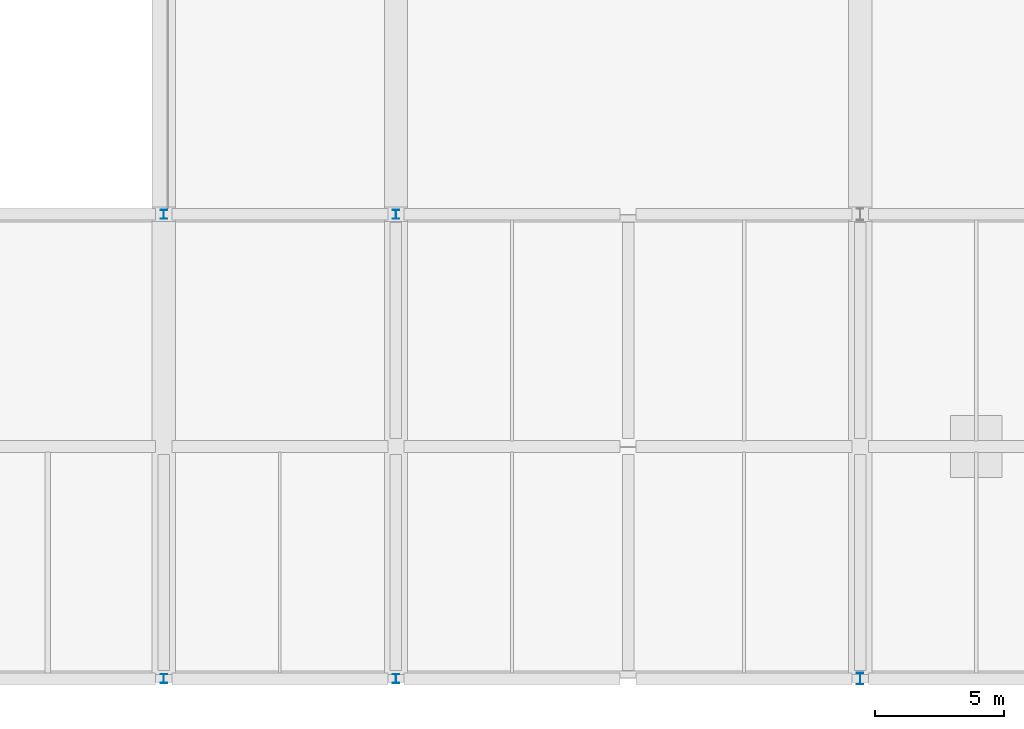
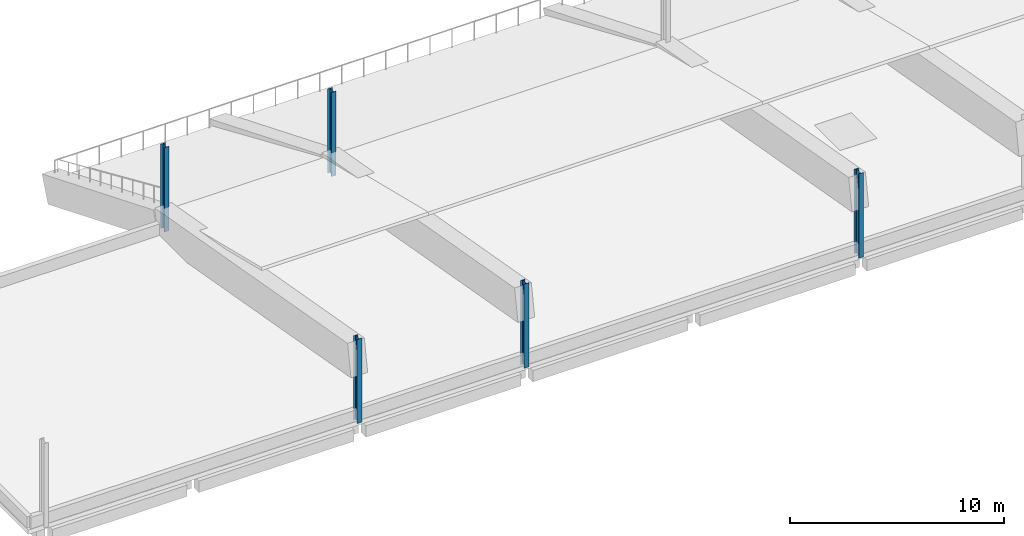
# One storey, part 4 of 66: 5 columns.
"""IFC4 building model written with IfcOpenShell, lengths in metres."""

from ifc_helpers import new_model, si_unit, direction, frame, origin, origin_2d, place, context, subcontext, project, spatial, i_section, extrude, material, material_profile, profile_set, type_object, element, save


model = new_model("IFC4")

# Units and contexts
model_context = context("Model", 3, precision=1e-05, world=origin(), true_north=direction((0.0, 1.0)))
body_context = subcontext(model_context, "Body", "Model", "MODEL_VIEW")
ifc_project = project(units=[si_unit("LENGTHUNIT", "METRE"), si_unit("AREAUNIT", "SQUARE_METRE"), si_unit("VOLUMEUNIT", "CUBIC_METRE"), si_unit("PLANEANGLEUNIT", "RADIAN"), si_unit("MASSUNIT", "GRAM", prefix="KILO"), si_unit("THERMODYNAMICTEMPERATUREUNIT", "KELVIN"), si_unit("POWERUNIT", "WATT")], contexts=[model_context])

# Site, building, storey
site_placement = place(None, origin())
site = spatial("IfcSite", under=ifc_project, at=site_placement, CompositionType="ELEMENT")
building_placement = place(site_placement, origin())
building = spatial("IfcBuilding", under=site, at=building_placement, Name="Sindhuravela Promenade Stadium", CompositionType="ELEMENT")
storey_placement = place(building_placement, frame((0.0, 0.0, 19.199951171875)))
storey = spatial("IfcBuildingStorey", under=building, at=storey_placement, Name="L04", CompositionType="ELEMENT", Elevation=19.199951171875)

# Columns
ifc_material = material(Name="Steel E350 (IS 2062 E350BR)", Category="steel")
ifc_material_profile_1 = material_profile(ifc_material, i_section(OverallWidth=0.25, OverallDepth=0.35009765625, WebThickness=0.010009765625, FlangeThickness=0.01171875, FilletRadius=0.011962890625, at=origin_2d()), Name="ISHB 350")
ifc_profile_set_1 = profile_set([ifc_material_profile_1], Name="Steel E350 (IS 2062 E350BR)")
column_type_1 = type_object("IfcColumnType", Name="ST-CL-HB350", PredefinedType="COLUMN", material=ifc_profile_set_1)
for number, where, z_axis, x_axis, name in (
    (1, (72.0, 9.0, 0.0), (0.0, 0.0, 1.0), (1.0, 0.0, 0.0), "Column SC02 SOUTH L04"),
    (2, (72.0, 27.0, 0.0), (0.0, 0.0, 1.0), (1.0, 0.0, 0.0), "Column SC02 SOUTH L04"),
    (3, (81.0, 9.0, 0.0), (0.0, 0.0, 1.0), (1.0, 0.0, 0.0), "Column SC02 SOUTH L04"),
    (4, (81.0, 27.0, 0.0), (0.0, 0.0, 1.0), (1.0, 0.0, 0.0), "Column SC02 SOUTH L04"),
):
    element("IfcColumn", number, at=place(storey_placement, frame(where, z_axis=z_axis, x_axis=x_axis)), inside=storey, type_object=column_type_1, Name=name, PredefinedType="COLUMN", context=body_context, shape_type="SweptSolid", body=[
        extrude(i_section(OverallWidth=0.25, OverallDepth=0.35009765625, WebThickness=0.010009765625, FlangeThickness=0.01171875, FilletRadius=0.011962890625, at=origin_2d()), origin(), (0.0, 0.0, 1.0), 4.800048828125),
    ])
ifc_material_profile_2 = material_profile(ifc_material, i_section(OverallWidth=0.25, OverallDepth=0.449951171875, WebThickness=0.01123046875, FlangeThickness=0.013671875, FilletRadius=0.014892578125, at=origin_2d()), Name="ISHB 450")
ifc_profile_set_2 = profile_set([ifc_material_profile_2], Name="Steel E350 (IS 2062 E350BR)")
column_type_2 = type_object("IfcColumnType", Name="ST-CL-HB450", PredefinedType="COLUMN", material=ifc_profile_set_2)
column_placement = place(storey_placement, frame((99.0, 9.0, 0.0), z_axis=(0.0, 0.0, 1.0), x_axis=(1.0, 0.0, 0.0)))
element("IfcColumn", 5, at=column_placement, inside=storey, type_object=column_type_2, Name="Column SC03 SOUTH L04", PredefinedType="COLUMN", context=body_context, shape_type="SweptSolid", body=[
    extrude(i_section(OverallWidth=0.25, OverallDepth=0.449951171875, WebThickness=0.01123046875, FlangeThickness=0.013671875, FilletRadius=0.014892578125, at=origin_2d()), origin(), (0.0, 0.0, 1.0), 4.800048828125),
])

save(model, "model.ifc")
